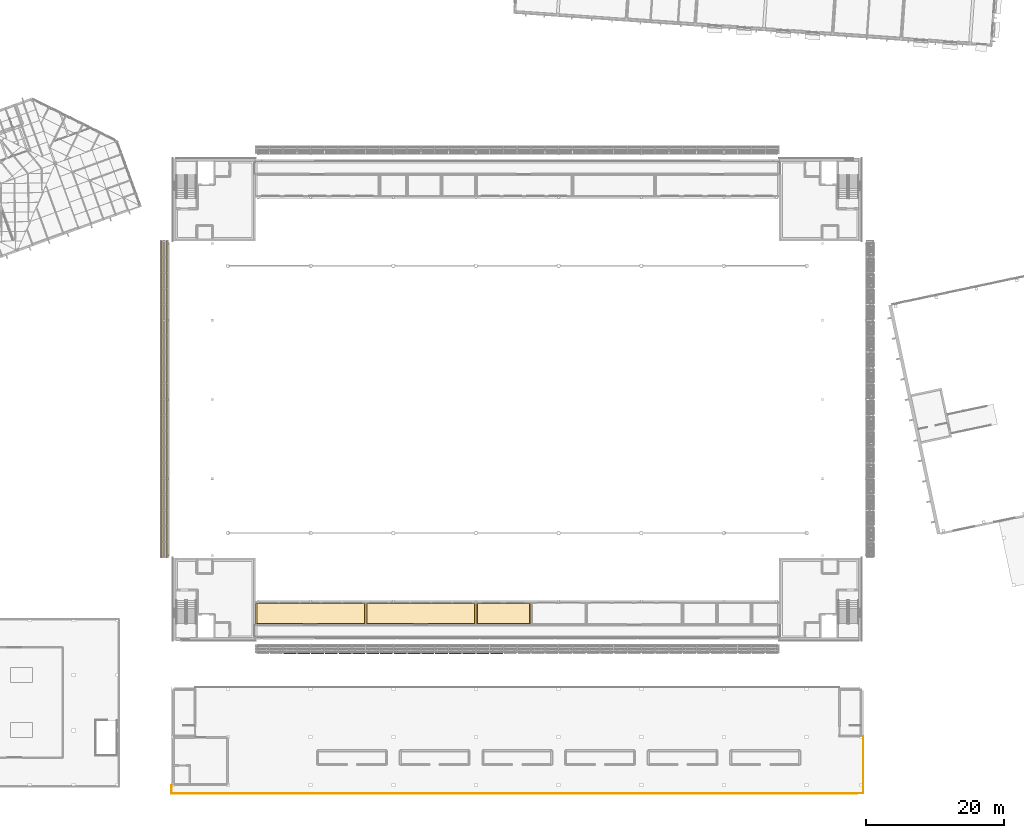
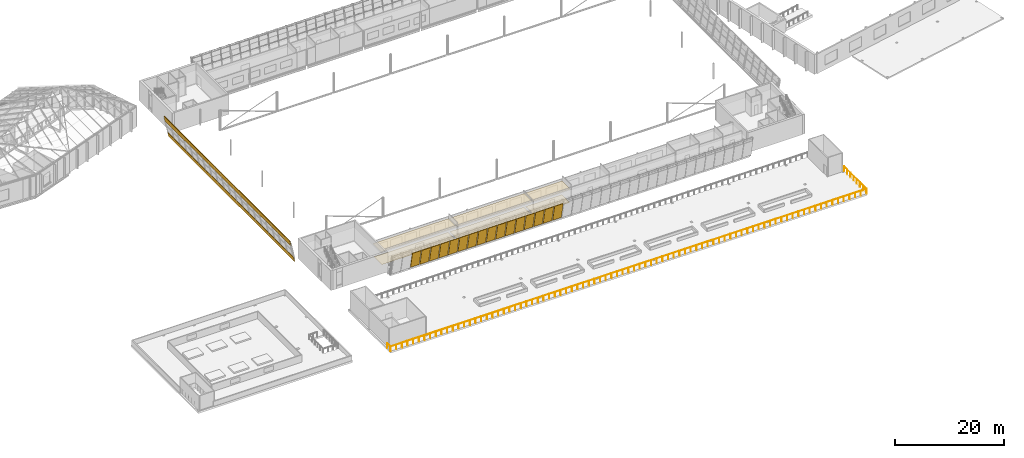
# One storey, part 81 of 95: 16 shading devices, 8 coverings, 1 railing.
"""IFC4 building model written with IfcOpenShell, lengths in metres."""

from ifc_helpers import new_model, si_unit, direction, frame, origin, origin_2d, place, context, subcontext, project, spatial, polyline, circle, outline, extrude, material, layer, layer_set, type_object, element, save


model = new_model("IFC4")

# Units and contexts
model_context = context("Model", 3, precision=1e-05, world=origin(), true_north=direction((0.0, 1.0)))
body_context = subcontext(model_context, "Body", "Model", "MODEL_VIEW")
ifc_project = project(units=[si_unit("LENGTHUNIT", "METRE"), si_unit("AREAUNIT", "SQUARE_METRE"), si_unit("VOLUMEUNIT", "CUBIC_METRE"), si_unit("PLANEANGLEUNIT", "RADIAN"), si_unit("MASSUNIT", "GRAM", prefix="KILO")], contexts=[model_context])

# Site, building, storey
site_placement = place(None, origin())
site = spatial("IfcSite", under=ifc_project, at=site_placement, CompositionType="ELEMENT")
building_placement = place(site_placement, origin())
building = spatial("IfcBuilding", under=site, at=building_placement, Name="Windward Yard Aquatics Centre", CompositionType="ELEMENT")
storey_placement = place(building_placement, frame((0.0, 0.0, 9.39990234375)))
storey = spatial("IfcBuildingStorey", under=building, at=storey_placement, Name="L02", CompositionType="ELEMENT", Elevation=9.39990234375)

# Railing
ifc_material_1 = material(Name="Stainless steel 1.4529", Category="steel")
railing_type = type_object("IfcRailingType", Name="C terrace guard 1100", PredefinedType="GUARDRAIL", material=ifc_material_1)
railing_placement = place(storey_placement, frame((51.77490234375, 5.0, 0.0)))
element("IfcRailing", 1, at=railing_placement, inside=storey, type_object=railing_type, Name="C.R.G1", PredefinedType="GUARDRAIL", context=body_context, shape_type="SweptSolid", body=[
    extrude(circle(Radius=0.02392578125, at=origin_2d()), frame((0.0, 0.0, 1.076171875), z_axis=(0.0, -1.0, 0.0), x_axis=(1.0, 0.0, 0.0)), (0.0, 0.0, 1.0), 1.199951171875),
    extrude(circle(Radius=0.02392578125, at=origin_2d()), frame((0.0, -1.199951171875, 1.076171875), z_axis=(1.0, 0.0, 0.0), x_axis=(0.0, 1.0, 0.0)), (0.0, 0.0, 1.0), 100.4501953125),
    extrude(circle(Radius=0.02392578125, at=origin_2d()), frame((100.4501953125, -1.199951171875, 1.076171875), z_axis=(0.0, 1.0, 0.0), x_axis=(-1.0, 0.0, 0.0)), (0.0, 0.0, 1.0), 8.25),
    extrude(circle(Radius=0.02099609375, at=origin_2d()), origin(), (0.0, 0.0, 1.0), 1.052001953125),
    extrude(circle(Radius=0.02099609375, at=origin_2d()), frame((0.0, -1.199951171875, 0.0)), (0.0, 0.0, 1.0), 1.052001953125),
    extrude(circle(Radius=0.02099609375, at=origin_2d()), frame((1.19580078125, -1.199951171875, 0.0)), (0.0, 0.0, 1.0), 1.052001953125),
    extrude(circle(Radius=0.02099609375, at=origin_2d()), frame((2.3916015625, -1.199951171875, 0.0)), (0.0, 0.0, 1.0), 1.052001953125),
    extrude(circle(Radius=0.02099609375, at=origin_2d()), frame((3.58740234375, -1.199951171875, 0.0)), (0.0, 0.0, 1.0), 1.052001953125),
    extrude(circle(Radius=0.02099609375, at=origin_2d()), frame((4.783447265625, -1.199951171875, 0.0)), (0.0, 0.0, 1.0), 1.052001953125),
    extrude(circle(Radius=0.02099609375, at=origin_2d()), frame((5.979248046875, -1.199951171875, 0.0)), (0.0, 0.0, 1.0), 1.052001953125),
    extrude(circle(Radius=0.02099609375, at=origin_2d()), frame((7.175048828125, -1.199951171875, 0.0)), (0.0, 0.0, 1.0), 1.052001953125),
    extrude(circle(Radius=0.02099609375, at=origin_2d()), frame((8.370849609375, -1.199951171875, 0.0)), (0.0, 0.0, 1.0), 1.052001953125),
    extrude(circle(Radius=0.02099609375, at=origin_2d()), frame((9.566650390625, -1.199951171875, 0.0)), (0.0, 0.0, 1.0), 1.052001953125),
    extrude(circle(Radius=0.02099609375, at=origin_2d()), frame((10.762451171875, -1.199951171875, 0.0)), (0.0, 0.0, 1.0), 1.052001953125),
    extrude(circle(Radius=0.02099609375, at=origin_2d()), frame((11.958251953125, -1.199951171875, 0.0)), (0.0, 0.0, 1.0), 1.052001953125),
    extrude(circle(Radius=0.02099609375, at=origin_2d()), frame((13.154296875, -1.199951171875, 0.0)), (0.0, 0.0, 1.0), 1.052001953125),
    extrude(circle(Radius=0.02099609375, at=origin_2d()), frame((14.35009765625, -1.199951171875, 0.0)), (0.0, 0.0, 1.0), 1.052001953125),
    extrude(circle(Radius=0.02099609375, at=origin_2d()), frame((15.5458984375, -1.199951171875, 0.0)), (0.0, 0.0, 1.0), 1.052001953125),
    extrude(circle(Radius=0.02099609375, at=origin_2d()), frame((16.74169921875, -1.199951171875, 0.0)), (0.0, 0.0, 1.0), 1.052001953125),
    extrude(circle(Radius=0.02099609375, at=origin_2d()), frame((17.9375, -1.199951171875, 0.0)), (0.0, 0.0, 1.0), 1.052001953125),
    extrude(circle(Radius=0.02099609375, at=origin_2d()), frame((19.13330078125, -1.199951171875, 0.0)), (0.0, 0.0, 1.0), 1.052001953125),
    extrude(circle(Radius=0.02099609375, at=origin_2d()), frame((20.3291015625, -1.199951171875, 0.0)), (0.0, 0.0, 1.0), 1.052001953125),
    extrude(circle(Radius=0.02099609375, at=origin_2d()), frame((21.525146484375, -1.199951171875, 0.0)), (0.0, 0.0, 1.0), 1.052001953125),
    extrude(circle(Radius=0.02099609375, at=origin_2d()), frame((22.720947265625, -1.199951171875, 0.0)), (0.0, 0.0, 1.0), 1.052001953125),
    extrude(circle(Radius=0.02099609375, at=origin_2d()), frame((23.916748046875, -1.199951171875, 0.0)), (0.0, 0.0, 1.0), 1.052001953125),
    extrude(circle(Radius=0.02099609375, at=origin_2d()), frame((25.112548828125, -1.199951171875, 0.0)), (0.0, 0.0, 1.0), 1.052001953125),
    extrude(circle(Radius=0.02099609375, at=origin_2d()), frame((26.308349609375, -1.199951171875, 0.0)), (0.0, 0.0, 1.0), 1.052001953125),
    extrude(circle(Radius=0.02099609375, at=origin_2d()), frame((27.504150390625, -1.199951171875, 0.0)), (0.0, 0.0, 1.0), 1.052001953125),
    extrude(circle(Radius=0.02099609375, at=origin_2d()), frame((28.699951171875, -1.199951171875, 0.0)), (0.0, 0.0, 1.0), 1.052001953125),
    extrude(circle(Radius=0.02099609375, at=origin_2d()), frame((29.89599609375, -1.199951171875, 0.0)), (0.0, 0.0, 1.0), 1.052001953125),
    extrude(circle(Radius=0.02099609375, at=origin_2d()), frame((31.091796875, -1.199951171875, 0.0)), (0.0, 0.0, 1.0), 1.052001953125),
    extrude(circle(Radius=0.02099609375, at=origin_2d()), frame((32.28759765625, -1.199951171875, 0.0)), (0.0, 0.0, 1.0), 1.052001953125),
    extrude(circle(Radius=0.02099609375, at=origin_2d()), frame((33.4833984375, -1.199951171875, 0.0)), (0.0, 0.0, 1.0), 1.052001953125),
    extrude(circle(Radius=0.02099609375, at=origin_2d()), frame((34.67919921875, -1.199951171875, 0.0)), (0.0, 0.0, 1.0), 1.052001953125),
    extrude(circle(Radius=0.02099609375, at=origin_2d()), frame((35.875, -1.199951171875, 0.0)), (0.0, 0.0, 1.0), 1.052001953125),
    extrude(circle(Radius=0.02099609375, at=origin_2d()), frame((37.07080078125, -1.199951171875, 0.0)), (0.0, 0.0, 1.0), 1.052001953125),
    extrude(circle(Radius=0.02099609375, at=origin_2d()), frame((38.266845703125, -1.199951171875, 0.0)), (0.0, 0.0, 1.0), 1.052001953125),
    extrude(circle(Radius=0.02099609375, at=origin_2d()), frame((39.462646484375, -1.199951171875, 0.0)), (0.0, 0.0, 1.0), 1.052001953125),
    extrude(circle(Radius=0.02099609375, at=origin_2d()), frame((40.658447265625, -1.199951171875, 0.0)), (0.0, 0.0, 1.0), 1.052001953125),
    extrude(circle(Radius=0.02099609375, at=origin_2d()), frame((41.854248046875, -1.199951171875, 0.0)), (0.0, 0.0, 1.0), 1.052001953125),
    extrude(circle(Radius=0.02099609375, at=origin_2d()), frame((43.050048828125, -1.199951171875, 0.0)), (0.0, 0.0, 1.0), 1.052001953125),
    extrude(circle(Radius=0.02099609375, at=origin_2d()), frame((44.245849609375, -1.199951171875, 0.0)), (0.0, 0.0, 1.0), 1.052001953125),
    extrude(circle(Radius=0.02099609375, at=origin_2d()), frame((45.441650390625, -1.199951171875, 0.0)), (0.0, 0.0, 1.0), 1.052001953125),
    extrude(circle(Radius=0.02099609375, at=origin_2d()), frame((46.6376953125, -1.199951171875, 0.0)), (0.0, 0.0, 1.0), 1.052001953125),
    extrude(circle(Radius=0.02099609375, at=origin_2d()), frame((47.83349609375, -1.199951171875, 0.0)), (0.0, 0.0, 1.0), 1.052001953125),
    extrude(circle(Radius=0.02099609375, at=origin_2d()), frame((49.029296875, -1.199951171875, 0.0)), (0.0, 0.0, 1.0), 1.052001953125),
    extrude(circle(Radius=0.02099609375, at=origin_2d()), frame((50.22509765625, -1.199951171875, 0.0)), (0.0, 0.0, 1.0), 1.052001953125),
    extrude(circle(Radius=0.02099609375, at=origin_2d()), frame((51.4208984375, -1.199951171875, 0.0)), (0.0, 0.0, 1.0), 1.052001953125),
    extrude(circle(Radius=0.02099609375, at=origin_2d()), frame((52.61669921875, -1.199951171875, 0.0)), (0.0, 0.0, 1.0), 1.052001953125),
    extrude(circle(Radius=0.02099609375, at=origin_2d()), frame((53.8125, -1.199951171875, 0.0)), (0.0, 0.0, 1.0), 1.052001953125),
    extrude(circle(Radius=0.02099609375, at=origin_2d()), frame((55.008544921875, -1.199951171875, 0.0)), (0.0, 0.0, 1.0), 1.052001953125),
    extrude(circle(Radius=0.02099609375, at=origin_2d()), frame((56.204345703125, -1.199951171875, 0.0)), (0.0, 0.0, 1.0), 1.052001953125),
    extrude(circle(Radius=0.02099609375, at=origin_2d()), frame((57.400146484375, -1.199951171875, 0.0)), (0.0, 0.0, 1.0), 1.052001953125),
    extrude(circle(Radius=0.02099609375, at=origin_2d()), frame((58.595947265625, -1.199951171875, 0.0)), (0.0, 0.0, 1.0), 1.052001953125),
    extrude(circle(Radius=0.02099609375, at=origin_2d()), frame((59.791748046875, -1.199951171875, 0.0)), (0.0, 0.0, 1.0), 1.052001953125),
    extrude(circle(Radius=0.02099609375, at=origin_2d()), frame((60.987548828125, -1.199951171875, 0.0)), (0.0, 0.0, 1.0), 1.052001953125),
    extrude(circle(Radius=0.02099609375, at=origin_2d()), frame((62.183349609375, -1.199951171875, 0.0)), (0.0, 0.0, 1.0), 1.052001953125),
    extrude(circle(Radius=0.02099609375, at=origin_2d()), frame((63.37939453125, -1.199951171875, 0.0)), (0.0, 0.0, 1.0), 1.052001953125),
    extrude(circle(Radius=0.02099609375, at=origin_2d()), frame((64.5751953125, -1.199951171875, 0.0)), (0.0, 0.0, 1.0), 1.052001953125),
    extrude(circle(Radius=0.02099609375, at=origin_2d()), frame((65.77099609375, -1.199951171875, 0.0)), (0.0, 0.0, 1.0), 1.052001953125),
    extrude(circle(Radius=0.02099609375, at=origin_2d()), frame((66.966796875, -1.199951171875, 0.0)), (0.0, 0.0, 1.0), 1.052001953125),
    extrude(circle(Radius=0.02099609375, at=origin_2d()), frame((68.16259765625, -1.199951171875, 0.0)), (0.0, 0.0, 1.0), 1.052001953125),
    extrude(circle(Radius=0.02099609375, at=origin_2d()), frame((69.3583984375, -1.199951171875, 0.0)), (0.0, 0.0, 1.0), 1.052001953125),
    extrude(circle(Radius=0.02099609375, at=origin_2d()), frame((70.55419921875, -1.199951171875, 0.0)), (0.0, 0.0, 1.0), 1.052001953125),
    extrude(circle(Radius=0.02099609375, at=origin_2d()), frame((71.750244140625, -1.199951171875, 0.0)), (0.0, 0.0, 1.0), 1.052001953125),
    extrude(circle(Radius=0.02099609375, at=origin_2d()), frame((72.946044921875, -1.199951171875, 0.0)), (0.0, 0.0, 1.0), 1.052001953125),
    extrude(circle(Radius=0.02099609375, at=origin_2d()), frame((74.141845703125, -1.199951171875, 0.0)), (0.0, 0.0, 1.0), 1.052001953125),
    extrude(circle(Radius=0.02099609375, at=origin_2d()), frame((75.337646484375, -1.199951171875, 0.0)), (0.0, 0.0, 1.0), 1.052001953125),
    extrude(circle(Radius=0.02099609375, at=origin_2d()), frame((76.533447265625, -1.199951171875, 0.0)), (0.0, 0.0, 1.0), 1.052001953125),
    extrude(circle(Radius=0.02099609375, at=origin_2d()), frame((77.729248046875, -1.199951171875, 0.0)), (0.0, 0.0, 1.0), 1.052001953125),
    extrude(circle(Radius=0.02099609375, at=origin_2d()), frame((78.925048828125, -1.199951171875, 0.0)), (0.0, 0.0, 1.0), 1.052001953125),
    extrude(circle(Radius=0.02099609375, at=origin_2d()), frame((80.12109375, -1.199951171875, 0.0)), (0.0, 0.0, 1.0), 1.052001953125),
    extrude(circle(Radius=0.02099609375, at=origin_2d()), frame((81.31689453125, -1.199951171875, 0.0)), (0.0, 0.0, 1.0), 1.052001953125),
    extrude(circle(Radius=0.02099609375, at=origin_2d()), frame((82.5126953125, -1.199951171875, 0.0)), (0.0, 0.0, 1.0), 1.052001953125),
    extrude(circle(Radius=0.02099609375, at=origin_2d()), frame((83.70849609375, -1.199951171875, 0.0)), (0.0, 0.0, 1.0), 1.052001953125),
    extrude(circle(Radius=0.02099609375, at=origin_2d()), frame((84.904296875, -1.199951171875, 0.0)), (0.0, 0.0, 1.0), 1.052001953125),
    extrude(circle(Radius=0.02099609375, at=origin_2d()), frame((86.10009765625, -1.199951171875, 0.0)), (0.0, 0.0, 1.0), 1.052001953125),
    extrude(circle(Radius=0.02099609375, at=origin_2d()), frame((87.2958984375, -1.199951171875, 0.0)), (0.0, 0.0, 1.0), 1.052001953125),
    extrude(circle(Radius=0.02099609375, at=origin_2d()), frame((88.491943359375, -1.199951171875, 0.0)), (0.0, 0.0, 1.0), 1.052001953125),
    extrude(circle(Radius=0.02099609375, at=origin_2d()), frame((89.687744140625, -1.199951171875, 0.0)), (0.0, 0.0, 1.0), 1.052001953125),
    extrude(circle(Radius=0.02099609375, at=origin_2d()), frame((90.883544921875, -1.199951171875, 0.0)), (0.0, 0.0, 1.0), 1.052001953125),
    extrude(circle(Radius=0.02099609375, at=origin_2d()), frame((92.079345703125, -1.199951171875, 0.0)), (0.0, 0.0, 1.0), 1.052001953125),
    extrude(circle(Radius=0.02099609375, at=origin_2d()), frame((93.275146484375, -1.199951171875, 0.0)), (0.0, 0.0, 1.0), 1.052001953125),
    extrude(circle(Radius=0.02099609375, at=origin_2d()), frame((94.470947265625, -1.199951171875, 0.0)), (0.0, 0.0, 1.0), 1.052001953125),
    extrude(circle(Radius=0.02099609375, at=origin_2d()), frame((95.666748046875, -1.199951171875, 0.0)), (0.0, 0.0, 1.0), 1.052001953125),
    extrude(circle(Radius=0.02099609375, at=origin_2d()), frame((96.86279296875, -1.199951171875, 0.0)), (0.0, 0.0, 1.0), 1.052001953125),
    extrude(circle(Radius=0.02099609375, at=origin_2d()), frame((98.05859375, -1.199951171875, 0.0)), (0.0, 0.0, 1.0), 1.052001953125),
    extrude(circle(Radius=0.02099609375, at=origin_2d()), frame((99.25439453125, -1.199951171875, 0.0)), (0.0, 0.0, 1.0), 1.052001953125),
    extrude(circle(Radius=0.02099609375, at=origin_2d()), frame((100.4501953125, -1.199951171875, 0.0)), (0.0, 0.0, 1.0), 1.052001953125),
    extrude(circle(Radius=0.02099609375, at=origin_2d()), frame((100.4501953125, -0.021484375, 0.0)), (0.0, 0.0, 1.0), 1.052001953125),
    extrude(circle(Radius=0.02099609375, at=origin_2d()), frame((100.4501953125, 1.1572265625, 0.0)), (0.0, 0.0, 1.0), 1.052001953125),
    extrude(circle(Radius=0.02099609375, at=origin_2d()), frame((100.4501953125, 2.335693359375, 0.0)), (0.0, 0.0, 1.0), 1.052001953125),
    extrude(circle(Radius=0.02099609375, at=origin_2d()), frame((100.4501953125, 3.514404296875, 0.0)), (0.0, 0.0, 1.0), 1.052001953125),
    extrude(circle(Radius=0.02099609375, at=origin_2d()), frame((100.4501953125, 4.69287109375, 0.0)), (0.0, 0.0, 1.0), 1.052001953125),
    extrude(circle(Radius=0.02099609375, at=origin_2d()), frame((100.4501953125, 5.87158203125, 0.0)), (0.0, 0.0, 1.0), 1.052001953125),
    extrude(circle(Radius=0.02099609375, at=origin_2d()), frame((100.4501953125, 7.050048828125, 0.0)), (0.0, 0.0, 1.0), 1.052001953125),
])

# Coverings
ifc_material_2 = material(Name="Polished screed")
ifc_layer_1 = layer(ifc_material_2, 0.0400390625)
ifc_layer_set_1 = layer_set([ifc_layer_1], Name="H Floor Finish Screed 40")
covering_type_1 = type_object("IfcCoveringType", Name="H Floor Finish Screed 40", PredefinedType="FLOORING", material=ifc_layer_set_1)
covering_1_placement = place(storey_placement, origin())
element("IfcCovering", 2, at=covering_1_placement, inside=storey, type_object=covering_type_1, Name="Hospitality Lounge floor finish", PredefinedType="FLOORING", context=body_context, shape_type="SweptSolid", body=[
    extrude(outline(polyline([(64.199951171875, 28.5), (64.199951171875, 31.359619140625), (79.800048828125, 31.359619140625), (79.800048828125, 28.5), (64.199951171875, 28.5)])), origin(), (0.0, 0.0, 1.0), 0.02001953125),
])
covering_2_placement = place(storey_placement, origin())
element("IfcCovering", 3, at=covering_2_placement, inside=storey, type_object=covering_type_1, Name="Media Tribune floor finish", PredefinedType="FLOORING", context=body_context, shape_type="SweptSolid", body=[
    extrude(outline(polyline([(80.199951171875, 28.5), (80.199951171875, 31.359619140625), (95.800048828125, 31.359619140625), (95.800048828125, 28.5), (80.199951171875, 28.5)])), origin(), (0.0, 0.0, 1.0), 0.02001953125),
])
covering_3_placement = place(storey_placement, origin())
element("IfcCovering", 4, at=covering_3_placement, inside=storey, type_object=covering_type_1, Name="Broadcast Control Room floor finish", PredefinedType="FLOORING", context=body_context, shape_type="SweptSolid", body=[
    extrude(outline(polyline([(96.199951171875, 28.5), (96.199951171875, 31.359619140625), (103.800048828125, 31.359619140625), (103.800048828125, 28.5), (96.199951171875, 28.5)])), origin(), (0.0, 0.0, 1.0), 0.02001953125),
])
ifc_material_3 = material(Name="Mineral fibre tile")
ifc_layer_2 = layer(ifc_material_3, 0.02001953125)
ifc_layer_set_2 = layer_set([ifc_layer_2], Name="H Suspended Ceiling 600 x 600")
covering_type_2 = type_object("IfcCoveringType", Name="H Suspended Ceiling 600 x 600", PredefinedType="CEILING", material=ifc_layer_set_2)
covering_4_placement = place(storey_placement, frame((0.0, 0.0, 3.0)))
element("IfcCovering", 5, at=covering_4_placement, inside=storey, type_object=covering_type_2, Name="Hospitality Lounge ceiling", PredefinedType="CEILING", context=body_context, shape_type="SweptSolid", body=[
    extrude(outline(polyline([(64.00048828125, 28.37548828125), (64.00048828125, 31.4091796875), (79.924560546875, 31.4091796875), (79.924560546875, 28.37548828125), (64.00048828125, 28.37548828125)])), origin(), (0.0, 0.0, 1.0), 0.02001953125),
])
covering_5_placement = place(storey_placement, frame((0.0, 0.0, 3.0)))
element("IfcCovering", 6, at=covering_5_placement, inside=storey, type_object=covering_type_2, Name="Media Tribune ceiling", PredefinedType="CEILING", context=body_context, shape_type="SweptSolid", body=[
    extrude(outline(polyline([(80.075439453125, 28.37548828125), (80.075439453125, 31.4091796875), (95.924560546875, 31.4091796875), (95.924560546875, 28.37548828125), (80.075439453125, 28.37548828125)])), origin(), (0.0, 0.0, 1.0), 0.02001953125),
])
covering_6_placement = place(storey_placement, frame((0.0, 0.0, 3.0)))
element("IfcCovering", 7, at=covering_6_placement, inside=storey, type_object=covering_type_2, Name="Broadcast Control Room ceiling", PredefinedType="CEILING", context=body_context, shape_type="SweptSolid", body=[
    extrude(outline(polyline([(96.075439453125, 28.37548828125), (96.075439453125, 31.4091796875), (103.924560546875, 31.4091796875), (103.924560546875, 28.37548828125), (96.075439453125, 28.37548828125)])), origin(), (0.0, 0.0, 1.0), 0.02001953125),
])

# Shading devices
ifc_material_4 = material(Name="Aluminium extruded louvre blades, powder coated", Category="aluminium")
ifc_layer_3 = layer(ifc_material_4, 0.080078125)
ifc_layer_set_3 = layer_set([ifc_layer_3], Name="H storm louvre shutter 1802x3637")
shading_device_type = type_object("IfcShadingDeviceType", Name="H storm louvre shutter 1802x3637", PredefinedType="SHUTTER", material=ifc_layer_set_3)
for number, where, z_axis, x_axis, name in (
    (8, (68.08203125, 24.125, 3.850830078125), (0.0, 0.97992466091, 0.19936814926), (0.0, 0.19936814926, -0.97992466091), "Storm louvre S L02 A3"),
    (9, (70.081787109375, 24.125, 3.850830078125), (0.0, 0.97992466091, 0.19936814926), (0.0, 0.19936814926, -0.97992466091), "Storm louvre S L02 A4"),
    (10, (72.08154296875, 24.125, 3.850830078125), (0.0, 0.97992466091, 0.19936814926), (0.0, 0.19936814926, -0.97992466091), "Storm louvre S L02 A5"),
    (11, (74.081298828125, 24.125, 3.850830078125), (0.0, 0.97992466091, 0.19936814926), (0.0, 0.19936814926, -0.97992466091), "Storm louvre S L02 A6"),
):
    element("IfcShadingDevice", number, at=place(storey_placement, frame(where, z_axis=z_axis, x_axis=x_axis)), inside=storey, type_object=shading_device_type, Name=name, PredefinedType="SHUTTER", context=body_context, shape_type="SweptSolid", body=[
        extrude(outline(polyline([(0.0, 0.0), (3.636978, 0.0), (3.636978, -1.834717), (0.0, -1.834717), (0.0, 0.0)])), origin(), (0.0, 0.0, -1.0), 0.080078125),
    ])
shading_device_placement = place(storey_placement, frame((76.080810546875, 24.125, 3.850830078125), z_axis=(0.0, 0.97992466091, 0.19936814926), x_axis=(0.0, 0.19936814926, -0.97992466091)))
element("IfcShadingDevice", 12, at=shading_device_placement, inside=storey, type_object=shading_device_type, Name="Storm louvre S L02 A7", PredefinedType="SHUTTER", context=body_context, shape_type="SweptSolid", body=[
    extrude(outline(polyline([(0.0, 0.0), (3.636978, 0.0), (3.636978, -1.834961), (0.0, -1.834961), (0.0, 0.0)])), origin(), (0.0, 0.0, -1.0), 0.080078125),
])
for number, where, z_axis, x_axis, name in (
    (13, (78.08056640625, 24.125, 3.850830078125), (0.0, 0.97992466091, 0.19936814926), (0.0, 0.19936814926, -0.97992466091), "Storm louvre S L02 A8"),
    (14, (80.080322265625, 24.125, 3.850830078125), (0.0, 0.97992466091, 0.19936814926), (0.0, 0.19936814926, -0.97992466091), "Storm louvre S L02 A9"),
    (15, (82.080078125, 24.125, 3.850830078125), (0.0, 0.97992466091, 0.19936814926), (0.0, 0.19936814926, -0.97992466091), "Storm louvre S L02 A10"),
    (16, (84.079833984375, 24.125, 3.850830078125), (0.0, 0.97992466091, 0.19936814926), (0.0, 0.19936814926, -0.97992466091), "Storm louvre S L02 A11"),
    (17, (86.07958984375, 24.125, 3.850830078125), (0.0, 0.97992466091, 0.19936814926), (0.0, 0.19936814926, -0.97992466091), "Storm louvre S L02 A12"),
    (18, (88.079345703125, 24.125, 3.850830078125), (0.0, 0.97992466091, 0.19936814926), (0.0, 0.19936814926, -0.97992466091), "Storm louvre S L02 A13"),
    (19, (90.0791015625, 24.125, 3.850830078125), (0.0, 0.97992466091, 0.19936814926), (0.0, 0.19936814926, -0.97992466091), "Storm louvre S L02 A14"),
    (20, (92.078857421875, 24.125, 3.850830078125), (0.0, 0.97992466091, 0.19936814926), (0.0, 0.19936814926, -0.97992466091), "Storm louvre S L02 A15"),
    (21, (94.07861328125, 24.125, 3.850830078125), (0.0, 0.97992466091, 0.19936814926), (0.0, 0.19936814926, -0.97992466091), "Storm louvre S L02 A16"),
    (22, (96.078369140625, 24.125, 3.850830078125), (0.0, 0.97992466091, 0.19936814926), (0.0, 0.19936814926, -0.97992466091), "Storm louvre S L02 A17"),
    (23, (98.078125, 24.125, 3.850830078125), (0.0, 0.97992466091, 0.19936814926), (0.0, 0.19936814926, -0.97992466091), "Storm louvre S L02 A18"),
):
    element("IfcShadingDevice", number, at=place(storey_placement, frame(where, z_axis=z_axis, x_axis=x_axis)), inside=storey, type_object=shading_device_type, Name=name, PredefinedType="SHUTTER", context=body_context, shape_type="SweptSolid", body=[
        extrude(outline(polyline([(0.0, 0.0), (3.636978, 0.0), (3.636978, -1.834717), (0.0, -1.834717), (0.0, 0.0)])), origin(), (0.0, 0.0, -1.0), 0.080078125),
    ])

# Coverings
ifc_material_5 = material(Name="Natural limestone cladding", Category="masonry")
ifc_layer_4 = layer(ifc_material_5, 0.125)
ifc_layer_set_4 = layer_set([ifc_layer_4], Name="H tier stone band 125")
covering_type_3 = type_object("IfcCoveringType", Name="H tier stone band 125", PredefinedType="CLADDING", material=ifc_layer_set_4)
covering_7_placement = place(storey_placement, frame((52.0, 38.0, 13.2001953125), z_axis=(0.0, 1.0, 0.0), x_axis=(-1.0, 0.0, 0.0)))
element("IfcCovering", 24, at=covering_7_placement, inside=storey, type_object=covering_type_3, Name="Tier 1 edge fascia W", PredefinedType="CLADDING", context=body_context, shape_type="SweptSolid", body=[
    extrude(outline(polyline([(1.546142578125, -10.0), (1.418701171875, -10.0), (1.662841796875, -8.800048828125), (1.790283203125, -8.800048828125), (1.546142578125, -10.0)])), origin(), (0.0, 0.0, 1.0), 46.0),
])
covering_8_placement = place(storey_placement, frame((52.0, 38.0, 13.2001953125), z_axis=(0.0, 1.0, 0.0), x_axis=(-1.0, 0.0, 0.0)))
element("IfcCovering", 25, at=covering_8_placement, inside=storey, type_object=covering_type_3, Name="Tier 1 spandrel band W", PredefinedType="CLADDING", context=body_context, shape_type="SweptSolid", body=[
    extrude(outline(polyline([(0.79345703125, -13.699951171875), (0.666015625, -13.699951171875), (0.869384765625, -12.699951171875), (0.996826171875, -12.699951171875), (0.79345703125, -13.699951171875)])), origin(), (0.0, 0.0, 1.0), 46.0),
])

save(model, "model.ifc")
